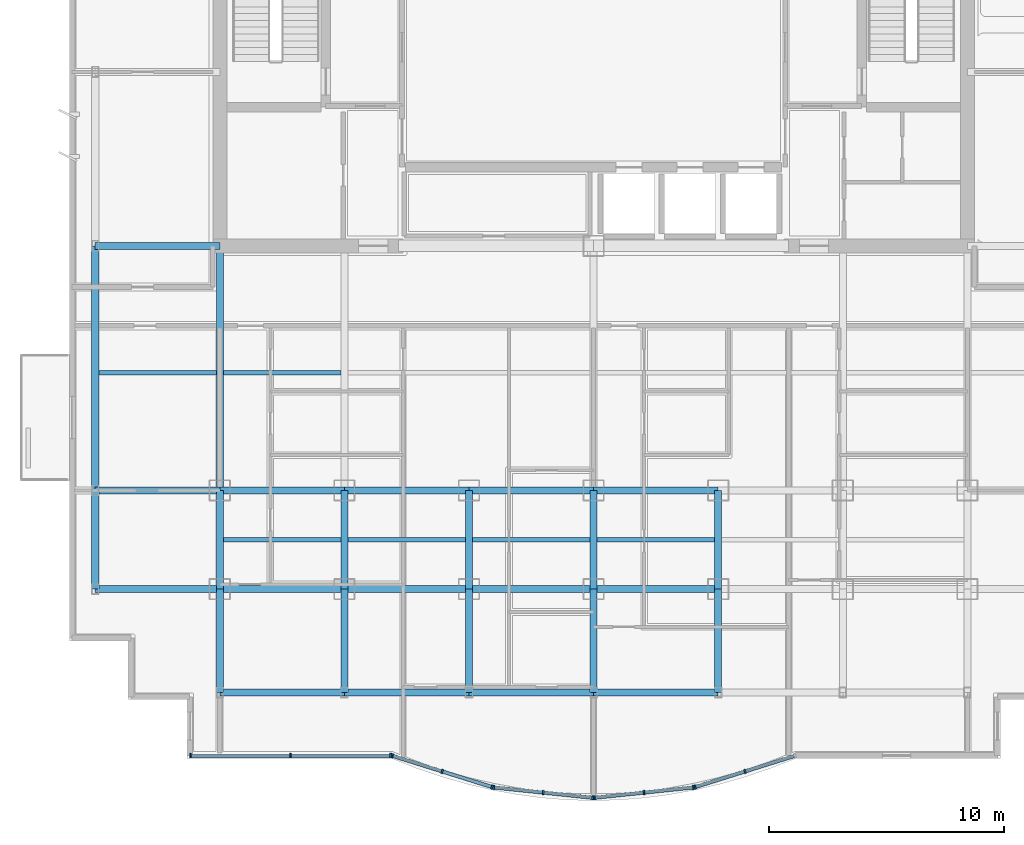
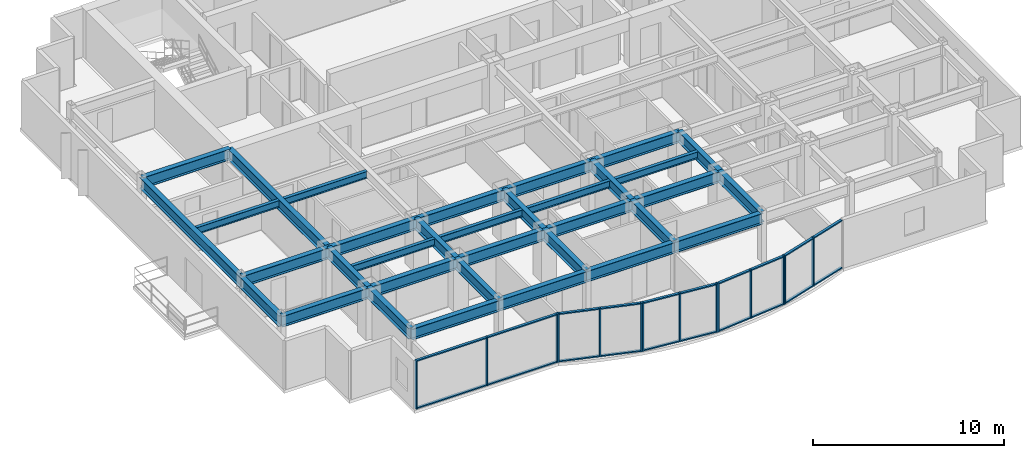
# One storey, part 2 of 11: 34 beams, 34 members, 5 elements without a shape of their own.
"""IFC4 building model written with IfcOpenShell, lengths in metres."""

from ifc_helpers import new_model, si_unit, direction, frame, origin, origin_2d, place, context, subcontext, project, spatial, rectangle, i_section, extrude, source, transform, mapped, material, layer, layer_set, material_profile, profile_set, type_object, element, aggregate, save


model = new_model("IFC4")

# Units and contexts
model_context = context("Model", 3, precision=1e-05, world=origin(), true_north=direction((0.0, 1.0)))
body_context = subcontext(model_context, "Body", "Model", "MODEL_VIEW")
ifc_project = project(units=[si_unit("LENGTHUNIT", "METRE"), si_unit("AREAUNIT", "SQUARE_METRE"), si_unit("VOLUMEUNIT", "CUBIC_METRE"), si_unit("PLANEANGLEUNIT", "RADIAN"), si_unit("MASSUNIT", "GRAM", prefix="KILO")], contexts=[model_context])

# Site, building, storey
site_placement = place(None, origin())
site = spatial("IfcSite", under=ifc_project, at=site_placement, CompositionType="ELEMENT")
building_placement = place(site_placement, origin())
building = spatial("IfcBuilding", under=site, at=building_placement, Name="Qianlan Lanfeng Residences", CompositionType="ELEMENT")
storey_placement = place(building_placement, frame((0.0, 0.0, 152.39990234375)))
storey = spatial("IfcBuildingStorey", under=building, at=storey_placement, Name="L41", CompositionType="ELEMENT", Elevation=152.39990234375)

# Beams
ifc_material_1 = material(Name="Steel SN490B", Category="steel")
ifc_material_profile_1 = material_profile(ifc_material_1, i_section(OverallWidth=0.300048828125, OverallDepth=0.699951171875, WebThickness=0.012939453125, FlangeThickness=0.02392578125, at=origin_2d()), Name="H 700x300x13x24")
ifc_profile_set_1 = profile_set([ifc_material_profile_1], Name="Steel SN490B")
beam_type_1 = type_object("IfcBeamType", Name="G-750", PredefinedType="BEAM", material=ifc_profile_set_1)
beam_1_placement = place(storey_placement, frame((5.300048828125, 10.60009765625, 2.75), z_axis=(1.0, 0.0, 0.0), x_axis=(0.0, 1.0, 0.0)))
element("IfcBeam", 1, at=beam_1_placement, inside=storey, type_object=beam_type_1, Name="Structural beam G-750", PredefinedType="BEAM", context=body_context, shape_type="SweptSolid", body=[
    extrude(i_section(OverallWidth=0.300048828125, OverallDepth=0.699951171875, WebThickness=0.012939453125, FlangeThickness=0.02392578125, at=origin_2d()), origin(), (0.0, 0.0, 1.0), 5.300048828125),
])
beam_2_placement = place(storey_placement, frame((10.60009765625, 10.60009765625, 2.75), z_axis=(1.0, 0.0, 0.0), x_axis=(0.0, 1.0, 0.0)))
element("IfcBeam", 2, at=beam_2_placement, inside=storey, type_object=beam_type_1, Name="Structural beam G-750", PredefinedType="BEAM", context=body_context, shape_type="SweptSolid", body=[
    extrude(i_section(OverallWidth=0.300048828125, OverallDepth=0.699951171875, WebThickness=0.012939453125, FlangeThickness=0.02392578125, at=origin_2d()), origin(), (0.0, 0.0, 1.0), 5.2998046875),
])
for number, where, z_axis, x_axis, name in (
    (3, (15.89990234375, 10.60009765625, 2.75), (1.0, 0.0, 0.0), (0.0, 1.0, 0.0), "Structural beam G-750"),
    (4, (21.199951171875, 10.60009765625, 2.75), (1.0, 0.0, 0.0), (0.0, 1.0, 0.0), "Structural beam G-750"),
    (5, (26.5, 10.60009765625, 2.75), (1.0, 0.0, 0.0), (0.0, 1.0, 0.0), "Structural beam G-750"),
    (6, (5.300048828125, 14.800048828125, 2.75), (1.0, 0.0, 0.0), (0.0, 1.0, 0.0), "Structural beam G-750"),
):
    element("IfcBeam", number, at=place(storey_placement, frame(where, z_axis=z_axis, x_axis=x_axis)), inside=storey, type_object=beam_type_1, Name=name, PredefinedType="BEAM", context=body_context, shape_type="SweptSolid", body=[
        extrude(i_section(OverallWidth=0.300048828125, OverallDepth=0.699951171875, WebThickness=0.012939453125, FlangeThickness=0.02392578125, at=origin_2d()), origin(), (0.0, 0.0, 1.0), 5.300048828125),
    ])
beam_3_placement = place(storey_placement, frame((10.60009765625, 14.800048828125, 2.75), z_axis=(1.0, 0.0, 0.0), x_axis=(0.0, 1.0, 0.0)))
element("IfcBeam", 7, at=beam_3_placement, inside=storey, type_object=beam_type_1, Name="Structural beam G-750", PredefinedType="BEAM", context=body_context, shape_type="SweptSolid", body=[
    extrude(i_section(OverallWidth=0.300048828125, OverallDepth=0.699951171875, WebThickness=0.012939453125, FlangeThickness=0.02392578125, at=origin_2d()), origin(), (0.0, 0.0, 1.0), 5.2998046875),
])
for number, where, z_axis, x_axis, name in (
    (8, (15.89990234375, 14.800048828125, 2.75), (1.0, 0.0, 0.0), (0.0, 1.0, 0.0), "Structural beam G-750"),
    (9, (21.199951171875, 14.800048828125, 2.75), (1.0, 0.0, 0.0), (0.0, 1.0, 0.0), "Structural beam G-750"),
    (10, (26.5, 14.800048828125, 2.75), (1.0, 0.0, 0.0), (0.0, 1.0, 0.0), "Structural beam G-750"),
    (11, (5.300048828125, 25.199951171875, 2.75), (1.0, 0.0, 0.0), (0.0, 1.0, 0.0), "Structural beam G-750"),
):
    element("IfcBeam", number, at=place(storey_placement, frame(where, z_axis=z_axis, x_axis=x_axis)), inside=storey, type_object=beam_type_1, Name=name, PredefinedType="BEAM", context=body_context, shape_type="SweptSolid", body=[
        extrude(i_section(OverallWidth=0.300048828125, OverallDepth=0.699951171875, WebThickness=0.012939453125, FlangeThickness=0.02392578125, at=origin_2d()), origin(), (0.0, 0.0, 1.0), 5.300048828125),
    ])
beam_4_placement = place(storey_placement, frame((10.60009765625, 6.199951171875, 2.75), z_axis=(0.0, 1.0, 0.0), x_axis=(-1.0, 0.0, 0.0)))
element("IfcBeam", 12, at=beam_4_placement, inside=storey, type_object=beam_type_1, Name="Structural beam G-750", PredefinedType="BEAM", context=body_context, shape_type="SweptSolid", body=[
    extrude(i_section(OverallWidth=0.300048828125, OverallDepth=0.699951171875, WebThickness=0.012939453125, FlangeThickness=0.02392578125, at=origin_2d()), origin(), (0.0, 0.0, 1.0), 4.400146484375),
])
beam_5_placement = place(storey_placement, frame((10.60009765625, 10.60009765625, 2.75), z_axis=(0.0, 1.0, 0.0), x_axis=(-1.0, 0.0, 0.0)))
element("IfcBeam", 13, at=beam_5_placement, inside=storey, type_object=beam_type_1, Name="Structural beam G-750", PredefinedType="BEAM", context=body_context, shape_type="SweptSolid", body=[
    extrude(i_section(OverallWidth=0.300048828125, OverallDepth=0.699951171875, WebThickness=0.012939453125, FlangeThickness=0.02392578125, at=origin_2d()), origin(), (0.0, 0.0, 1.0), 4.199951171875),
])
beam_6_placement = place(storey_placement, frame((10.60009765625, 14.800048828125, 2.75), z_axis=(0.0, 1.0, 0.0), x_axis=(-1.0, 0.0, 0.0)))
element("IfcBeam", 14, at=beam_6_placement, inside=storey, type_object=beam_type_1, Name="Structural beam G-750", PredefinedType="BEAM", context=body_context, shape_type="SweptSolid", body=[
    extrude(i_section(OverallWidth=0.300048828125, OverallDepth=0.699951171875, WebThickness=0.012939453125, FlangeThickness=0.02392578125, at=origin_2d()), origin(), (0.0, 0.0, 1.0), 10.39990234375),
])
beam_7_placement = place(storey_placement, frame((15.89990234375, 6.199951171875, 2.75), z_axis=(0.0, 1.0, 0.0), x_axis=(-1.0, 0.0, 0.0)))
element("IfcBeam", 15, at=beam_7_placement, inside=storey, type_object=beam_type_1, Name="Structural beam G-750", PredefinedType="BEAM", context=body_context, shape_type="SweptSolid", body=[
    extrude(i_section(OverallWidth=0.300048828125, OverallDepth=0.699951171875, WebThickness=0.012939453125, FlangeThickness=0.02392578125, at=origin_2d()), origin(), (0.0, 0.0, 1.0), 4.400146484375),
])
beam_8_placement = place(storey_placement, frame((15.89990234375, 10.60009765625, 2.75), z_axis=(0.0, 1.0, 0.0), x_axis=(-1.0, 0.0, 0.0)))
element("IfcBeam", 16, at=beam_8_placement, inside=storey, type_object=beam_type_1, Name="Structural beam G-750", PredefinedType="BEAM", context=body_context, shape_type="SweptSolid", body=[
    extrude(i_section(OverallWidth=0.300048828125, OverallDepth=0.699951171875, WebThickness=0.012939453125, FlangeThickness=0.02392578125, at=origin_2d()), origin(), (0.0, 0.0, 1.0), 4.199951171875),
])
beam_9_placement = place(storey_placement, frame((21.199951171875, 6.199951171875, 2.75), z_axis=(0.0, 1.0, 0.0), x_axis=(-1.0, 0.0, 0.0)))
element("IfcBeam", 17, at=beam_9_placement, inside=storey, type_object=beam_type_1, Name="Structural beam G-750", PredefinedType="BEAM", context=body_context, shape_type="SweptSolid", body=[
    extrude(i_section(OverallWidth=0.300048828125, OverallDepth=0.699951171875, WebThickness=0.012939453125, FlangeThickness=0.02392578125, at=origin_2d()), origin(), (0.0, 0.0, 1.0), 4.400146484375),
])
beam_10_placement = place(storey_placement, frame((21.199951171875, 10.60009765625, 2.75), z_axis=(0.0, 1.0, 0.0), x_axis=(-1.0, 0.0, 0.0)))
element("IfcBeam", 18, at=beam_10_placement, inside=storey, type_object=beam_type_1, Name="Structural beam G-750", PredefinedType="BEAM", context=body_context, shape_type="SweptSolid", body=[
    extrude(i_section(OverallWidth=0.300048828125, OverallDepth=0.699951171875, WebThickness=0.012939453125, FlangeThickness=0.02392578125, at=origin_2d()), origin(), (0.0, 0.0, 1.0), 4.199951171875),
])
beam_11_placement = place(storey_placement, frame((26.5, 6.199951171875, 2.75), z_axis=(0.0, 1.0, 0.0), x_axis=(-1.0, 0.0, 0.0)))
element("IfcBeam", 19, at=beam_11_placement, inside=storey, type_object=beam_type_1, Name="Structural beam G-750", PredefinedType="BEAM", context=body_context, shape_type="SweptSolid", body=[
    extrude(i_section(OverallWidth=0.300048828125, OverallDepth=0.699951171875, WebThickness=0.012939453125, FlangeThickness=0.02392578125, at=origin_2d()), origin(), (0.0, 0.0, 1.0), 4.400146484375),
])
beam_12_placement = place(storey_placement, frame((26.5, 10.60009765625, 2.75), z_axis=(0.0, 1.0, 0.0), x_axis=(-1.0, 0.0, 0.0)))
element("IfcBeam", 20, at=beam_12_placement, inside=storey, type_object=beam_type_1, Name="Structural beam G-750", PredefinedType="BEAM", context=body_context, shape_type="SweptSolid", body=[
    extrude(i_section(OverallWidth=0.300048828125, OverallDepth=0.699951171875, WebThickness=0.012939453125, FlangeThickness=0.02392578125, at=origin_2d()), origin(), (0.0, 0.0, 1.0), 4.199951171875),
])
beam_13_placement = place(storey_placement, frame((31.800048828125, 6.199951171875, 2.75), z_axis=(0.0, 1.0, 0.0), x_axis=(-1.0, 0.0, 0.0)))
element("IfcBeam", 21, at=beam_13_placement, inside=storey, type_object=beam_type_1, Name="Structural beam G-750", PredefinedType="BEAM", context=body_context, shape_type="SweptSolid", body=[
    extrude(i_section(OverallWidth=0.300048828125, OverallDepth=0.699951171875, WebThickness=0.012939453125, FlangeThickness=0.02392578125, at=origin_2d()), origin(), (0.0, 0.0, 1.0), 4.400146484375),
])
beam_14_placement = place(storey_placement, frame((31.800048828125, 10.60009765625, 2.75), z_axis=(0.0, 1.0, 0.0), x_axis=(-1.0, 0.0, 0.0)))
element("IfcBeam", 22, at=beam_14_placement, inside=storey, type_object=beam_type_1, Name="Structural beam G-750", PredefinedType="BEAM", context=body_context, shape_type="SweptSolid", body=[
    extrude(i_section(OverallWidth=0.300048828125, OverallDepth=0.699951171875, WebThickness=0.012939453125, FlangeThickness=0.02392578125, at=origin_2d()), origin(), (0.0, 0.0, 1.0), 4.199951171875),
])
ifc_material_profile_2 = material_profile(ifc_material_1, i_section(OverallWidth=0.199951171875, OverallDepth=0.449951171875, WebThickness=0.009033203125, FlangeThickness=0.013916015625, at=origin_2d()), Name="H 450x200x9x14")
ifc_profile_set_2 = profile_set([ifc_material_profile_2], Name="Steel SN490B")
beam_type_2 = type_object("IfcBeamType", Name="J-450", PredefinedType="JOIST", material=ifc_profile_set_2)
for number, where, z_axis, x_axis, name in (
    (23, (10.75, 12.699951171875, 2.875), (1.0, 0.0, 0.0), (0.0, 1.0, 0.0), "Structural beam J-450"),
    (24, (16.050048828125, 12.699951171875, 2.875), (1.0, 0.0, 0.0), (0.0, 1.0, 0.0), "Structural beam J-450"),
    (25, (21.35009765625, 12.699951171875, 2.875), (1.0, 0.0, 0.0), (0.0, 1.0, 0.0), "Structural beam J-450"),
    (26, (26.64990234375, 12.699951171875, 2.875), (1.0, 0.0, 0.0), (0.0, 1.0, 0.0), "Structural beam J-450"),
    (27, (5.449951171875, 19.800048828125, 2.875), (1.0, 0.0, 0.0), (0.0, 1.0, 0.0), "Structural beam J-450"),
    (28, (10.75, 19.800048828125, 2.875), (1.0, 0.0, 0.0), (0.0, 1.0, 0.0), "Structural beam J-450"),
):
    element("IfcBeam", number, at=place(storey_placement, frame(where, z_axis=z_axis, x_axis=x_axis)), inside=storey, type_object=beam_type_2, Name=name, PredefinedType="JOIST", context=body_context, shape_type="SweptSolid", body=[
        extrude(i_section(OverallWidth=0.199951171875, OverallDepth=0.449951171875, WebThickness=0.009033203125, FlangeThickness=0.013916015625, at=origin_2d()), origin(), (0.0, 0.0, 1.0), 5.0),
    ])
ifc_material_profile_3 = material_profile(ifc_material_1, i_section(OverallWidth=0.300048828125, OverallDepth=0.699951171875, WebThickness=0.012939453125, FlangeThickness=0.02392578125, at=origin_2d()), Name="H 700x300x13x24")
ifc_profile_set_3 = profile_set([ifc_material_profile_3], Name="Steel SN490B")
beam_type_3 = type_object("IfcBeamType", Name="SG-750", PredefinedType="SPANDREL", material=ifc_profile_set_3)
beam_15_placement = place(storey_placement, frame((10.60009765625, 6.199951171875, 2.739990234375), z_axis=(1.0, 0.0, 0.0), x_axis=(0.0, 1.0, 0.0)))
element("IfcBeam", 29, at=beam_15_placement, inside=storey, type_object=beam_type_3, Name="Structural beam SG-750", PredefinedType="SPANDREL", context=body_context, shape_type="SweptSolid", body=[
    extrude(i_section(OverallWidth=0.300048828125, OverallDepth=0.699951171875, WebThickness=0.012939453125, FlangeThickness=0.02392578125, at=origin_2d()), origin(), (0.0, 0.0, 1.0), 5.2998046875),
])
for number, where, z_axis, x_axis, name in (
    (30, (15.89990234375, 6.199951171875, 2.739990234375), (1.0, 0.0, 0.0), (0.0, 1.0, 0.0), "Structural beam SG-750"),
    (31, (21.199951171875, 6.199951171875, 2.739990234375), (1.0, 0.0, 0.0), (0.0, 1.0, 0.0), "Structural beam SG-750"),
    (32, (26.5, 6.199951171875, 2.739990234375), (1.0, 0.0, 0.0), (0.0, 1.0, 0.0), "Structural beam SG-750"),
):
    element("IfcBeam", number, at=place(storey_placement, frame(where, z_axis=z_axis, x_axis=x_axis)), inside=storey, type_object=beam_type_3, Name=name, PredefinedType="SPANDREL", context=body_context, shape_type="SweptSolid", body=[
        extrude(i_section(OverallWidth=0.300048828125, OverallDepth=0.699951171875, WebThickness=0.012939453125, FlangeThickness=0.02392578125, at=origin_2d()), origin(), (0.0, 0.0, 1.0), 5.300048828125),
    ])
beam_16_placement = place(storey_placement, frame((5.300048828125, 10.60009765625, 2.739990234375), z_axis=(0.0, 1.0, 0.0), x_axis=(-1.0, 0.0, 0.0)))
element("IfcBeam", 33, at=beam_16_placement, inside=storey, type_object=beam_type_3, Name="Structural beam SG-750", PredefinedType="SPANDREL", context=body_context, shape_type="SweptSolid", body=[
    extrude(i_section(OverallWidth=0.300048828125, OverallDepth=0.699951171875, WebThickness=0.012939453125, FlangeThickness=0.02392578125, at=origin_2d()), origin(), (0.0, 0.0, 1.0), 4.199951171875),
])
beam_17_placement = place(storey_placement, frame((5.300048828125, 14.800048828125, 2.739990234375), z_axis=(0.0, 1.0, 0.0), x_axis=(-1.0, 0.0, 0.0)))
element("IfcBeam", 34, at=beam_17_placement, inside=storey, type_object=beam_type_3, Name="Structural beam SG-750", PredefinedType="SPANDREL", context=body_context, shape_type="SweptSolid", body=[
    extrude(i_section(OverallWidth=0.300048828125, OverallDepth=0.699951171875, WebThickness=0.012939453125, FlangeThickness=0.02392578125, at=origin_2d()), origin(), (0.0, 0.0, 1.0), 10.39990234375),
])

# Curtain wall, members
ifc_material_2 = material(Name="Anodised Bronze Aluminium 6063-T6", Category="aluminium")
ifc_layer = layer(ifc_material_2, 0.219970703125)
ifc_layer_set = layer_set([ifc_layer], Name="Anodised Bronze Aluminium 6063-T6")
curtain_wall_type = type_object("IfcCurtainWallType", Name="CW-04", PredefinedType="NOTDEFINED", material=ifc_layer_set)
curtain_wall_1_placement = place(storey_placement, origin())
curtain_wall_1 = element("IfcCurtainWall", 35, at=curtain_wall_1_placement, inside=storey, type_object=curtain_wall_type, Name="L41 Unitised Curtain Wall CWR-L41-01 (CW-04)", PredefinedType="NOTDEFINED")
ifc_material_profile_4 = material_profile(ifc_material_2, rectangle(XDim=0.074951171875, YDim=0.14990234375, at=origin_2d()), Name="ALU TRANSOM 75x150")
ifc_profile_set_4 = profile_set([ifc_material_profile_4], Name="Anodised Bronze Aluminium 6063-T6")
member_type_1 = type_object("IfcMemberType", Name="CWT-150", PredefinedType="USERDEFINED", material=ifc_profile_set_4)
shared_shape_1 = source(origin(), body_context, "Body", "SweptSolid", [
    extrude(rectangle(XDim=0.074951171875, YDim=0.14990234375, at=origin_2d()), origin(), (0.0, 0.0, 1.0), 4.178955078125),
])
member_1_placement = place(storey_placement, frame((9.39501953125, 3.52001953125, 0.03759765625), z_axis=(1.0, 0.0, 0.0), x_axis=(0.0, 0.0, 1.0)))
member_1 = element("IfcMember", 36, at=member_1_placement, type_object=member_type_1, Name="CWR-L41-01 Transom 1-BOT", ObjectType="TRANSOM", PredefinedType="USERDEFINED", context=body_context, shape_type="MappedRepresentation", body=[
    mapped(shared_shape_1, transform((0.0, 0.0, 0.0), scale=1.0)),
])
member_2_placement = place(storey_placement, frame((9.39501953125, 3.52001953125, 3.0625), z_axis=(1.0, 0.0, 0.0), x_axis=(0.0, 0.0, 1.0)))
member_2 = element("IfcMember", 37, at=member_2_placement, type_object=member_type_1, Name="CWR-L41-01 Transom 1-TOP", ObjectType="TRANSOM", PredefinedType="USERDEFINED", context=body_context, shape_type="MappedRepresentation", body=[
    mapped(shared_shape_1, transform((0.0, 0.0, 0.0), scale=1.0)),
])
member_3_placement = place(storey_placement, frame((13.64892578125, 3.52001953125, 0.03759765625), z_axis=(1.0, 0.0, 0.0), x_axis=(0.0, 0.0, 1.0)))
member_3 = element("IfcMember", 38, at=member_3_placement, type_object=member_type_1, Name="CWR-L41-01 Transom 2-BOT", ObjectType="TRANSOM", PredefinedType="USERDEFINED", context=body_context, shape_type="MappedRepresentation", body=[
    mapped(shared_shape_1, transform((0.0, 0.0, 0.0), scale=1.0)),
])
member_4_placement = place(storey_placement, frame((13.64892578125, 3.52001953125, 3.0625), z_axis=(1.0, 0.0, 0.0), x_axis=(0.0, 0.0, 1.0)))
member_4 = element("IfcMember", 39, at=member_4_placement, type_object=member_type_1, Name="CWR-L41-01 Transom 2-TOP", ObjectType="TRANSOM", PredefinedType="USERDEFINED", context=body_context, shape_type="MappedRepresentation", body=[
    mapped(shared_shape_1, transform((0.0, 0.0, 0.0), scale=1.0)),
])

curtain_wall_2_placement = place(storey_placement, origin())
curtain_wall_2 = element("IfcCurtainWall", 40, at=curtain_wall_2_placement, inside=storey, type_object=curtain_wall_type, Name="L41 Unitised Curtain Wall CWR-L41-04 (CW-04)", PredefinedType="NOTDEFINED")
shared_shape_2 = source(origin(), body_context, "Body", "SweptSolid", [
    extrude(rectangle(XDim=0.074951171875, YDim=0.14990234375, at=origin_2d()), origin(), (0.0, 0.0, 1.0), 2.04150390625),
])
member_5_placement = place(storey_placement, frame((26.57470703125, 1.727783203125, 0.03759765625), z_axis=(0.994573388245, 0.104037374988, 0.0), x_axis=(0.0, 0.0, 1.0)))
member_5 = element("IfcMember", 41, at=member_5_placement, type_object=member_type_1, Name="CWR-L41-04 Transom 1-BOT", ObjectType="TRANSOM", PredefinedType="USERDEFINED", context=body_context, shape_type="MappedRepresentation", body=[
    mapped(shared_shape_2, transform((0.0, 0.0, 0.0), scale=1.0)),
])
member_6_placement = place(storey_placement, frame((26.57470703125, 1.727783203125, 3.0625), z_axis=(0.994573388245, 0.104037374988, 0.0), x_axis=(0.0, 0.0, 1.0)))
member_6 = element("IfcMember", 42, at=member_6_placement, type_object=member_type_1, Name="CWR-L41-04 Transom 1-TOP", ObjectType="TRANSOM", PredefinedType="USERDEFINED", context=body_context, shape_type="MappedRepresentation", body=[
    mapped(shared_shape_2, transform((0.0, 0.0, 0.0), scale=1.0)),
])

curtain_wall_3_placement = place(storey_placement, origin())
curtain_wall_3 = element("IfcCurtainWall", 43, at=curtain_wall_3_placement, inside=storey, type_object=curtain_wall_type, Name="L41 Unitised Curtain Wall CWR-L41-03 (CW-04)", PredefinedType="NOTDEFINED")
shared_shape_3 = source(origin(), body_context, "Body", "SweptSolid", [
    extrude(rectangle(XDim=0.074951171875, YDim=0.14990234375, at=origin_2d()), origin(), (0.0, 0.0, 1.0), 2.041748046875),
])
member_7_placement = place(storey_placement, frame((22.28955078125, 2.16015625, 0.03759765625), z_axis=(0.994587046158, -0.103906725548, 0.0), x_axis=(0.0, 0.0, 1.0)))
member_7 = element("IfcMember", 44, at=member_7_placement, type_object=member_type_1, Name="CWR-L41-03 Transom 1-BOT", ObjectType="TRANSOM", PredefinedType="USERDEFINED", context=body_context, shape_type="MappedRepresentation", body=[
    mapped(shared_shape_3, transform((0.0, 0.0, 0.0), scale=1.0)),
])
member_8_placement = place(storey_placement, frame((22.28955078125, 2.16015625, 3.0625), z_axis=(0.994587046158, -0.103906725548, 0.0), x_axis=(0.0, 0.0, 1.0)))
member_8 = element("IfcMember", 45, at=member_8_placement, type_object=member_type_1, Name="CWR-L41-03 Transom 1-TOP", ObjectType="TRANSOM", PredefinedType="USERDEFINED", context=body_context, shape_type="MappedRepresentation", body=[
    mapped(shared_shape_3, transform((0.0, 0.0, 0.0), scale=1.0)),
])
member_9_placement = place(storey_placement, frame((24.394775390625, 1.940185546875, 0.03759765625), z_axis=(0.994574682356, -0.104025002843, 0.0), x_axis=(0.0, 0.0, 1.0)))
member_9 = element("IfcMember", 46, at=member_9_placement, type_object=member_type_1, Name="CWR-L41-03 Transom 2-BOT", ObjectType="TRANSOM", PredefinedType="USERDEFINED", context=body_context, shape_type="MappedRepresentation", body=[
    mapped(shared_shape_3, transform((0.0, 0.0, 0.0), scale=1.0)),
])
member_10_placement = place(storey_placement, frame((24.394775390625, 1.940185546875, 3.0625), z_axis=(0.994574682356, -0.104025002843, 0.0), x_axis=(0.0, 0.0, 1.0)))
member_10 = element("IfcMember", 47, at=member_10_placement, type_object=member_type_1, Name="CWR-L41-03 Transom 2-TOP", ObjectType="TRANSOM", PredefinedType="USERDEFINED", context=body_context, shape_type="MappedRepresentation", body=[
    mapped(shared_shape_3, transform((0.0, 0.0, 0.0), scale=1.0)),
])

# Member
member_11_placement = place(storey_placement, frame((28.6796875, 1.947998046875, 0.03759765625), z_axis=(0.994587046158, 0.103906725548, 0.0), x_axis=(0.0, 0.0, 1.0)))
member_11 = element("IfcMember", 48, at=member_11_placement, type_object=member_type_1, Name="CWR-L41-04 Transom 2-BOT", ObjectType="TRANSOM", PredefinedType="USERDEFINED", context=body_context, shape_type="MappedRepresentation", body=[
    mapped(shared_shape_3, transform((0.0, 0.0, 0.0), scale=1.0)),
])

member_12_placement = place(storey_placement, frame((28.6796875, 1.947998046875, 3.0625), z_axis=(0.994587046158, 0.103906725548, 0.0), x_axis=(0.0, 0.0, 1.0)))
member_12 = element("IfcMember", 49, at=member_12_placement, type_object=member_type_1, Name="CWR-L41-04 Transom 2-TOP", ObjectType="TRANSOM", PredefinedType="USERDEFINED", context=body_context, shape_type="MappedRepresentation", body=[
    mapped(shared_shape_3, transform((0.0, 0.0, 0.0), scale=1.0)),
])

# Curtain wall, members
curtain_wall_4_placement = place(storey_placement, origin())
curtain_wall_4 = element("IfcCurtainWall", 50, at=curtain_wall_4_placement, inside=storey, type_object=curtain_wall_type, Name="L41 Unitised Curtain Wall CWR-L41-02 (CW-04)", PredefinedType="NOTDEFINED")
shared_shape_4 = source(origin(), body_context, "Body", "SweptSolid", [
    extrude(rectangle(XDim=0.074951171875, YDim=0.14990234375, at=origin_2d()), origin(), (0.0, 0.0, 1.0), 2.14697265625),
])
member_13_placement = place(storey_placement, frame((17.974609375, 3.49755859375, 0.03759765625), z_axis=(0.954194238714, -0.299187825296, 0.0), x_axis=(0.0, 0.0, 1.0)))
member_13 = element("IfcMember", 51, at=member_13_placement, type_object=member_type_1, Name="CWR-L41-02 Transom 1-BOT", ObjectType="TRANSOM", PredefinedType="USERDEFINED", context=body_context, shape_type="MappedRepresentation", body=[
    mapped(shared_shape_4, transform((0.0, 0.0, 0.0), scale=1.0)),
])
member_14_placement = place(storey_placement, frame((17.974609375, 3.49755859375, 3.0625), z_axis=(0.954194238714, -0.299187825296, 0.0), x_axis=(0.0, 0.0, 1.0)))
member_14 = element("IfcMember", 52, at=member_14_placement, type_object=member_type_1, Name="CWR-L41-02 Transom 1-TOP", ObjectType="TRANSOM", PredefinedType="USERDEFINED", context=body_context, shape_type="MappedRepresentation", body=[
    mapped(shared_shape_4, transform((0.0, 0.0, 0.0), scale=1.0)),
])
member_15_placement = place(storey_placement, frame((20.0947265625, 2.832763671875, 0.03759765625), z_axis=(0.954194238714, -0.299187825296, 0.0), x_axis=(0.0, 0.0, 1.0)))
member_15 = element("IfcMember", 53, at=member_15_placement, type_object=member_type_1, Name="CWR-L41-02 Transom 2-BOT", ObjectType="TRANSOM", PredefinedType="USERDEFINED", context=body_context, shape_type="MappedRepresentation", body=[
    mapped(shared_shape_4, transform((0.0, 0.0, 0.0), scale=1.0)),
])
member_16_placement = place(storey_placement, frame((20.0947265625, 2.832763671875, 3.0625), z_axis=(0.954194238714, -0.299187825296, 0.0), x_axis=(0.0, 0.0, 1.0)))
member_16 = element("IfcMember", 54, at=member_16_placement, type_object=member_type_1, Name="CWR-L41-02 Transom 2-TOP", ObjectType="TRANSOM", PredefinedType="USERDEFINED", context=body_context, shape_type="MappedRepresentation", body=[
    mapped(shared_shape_4, transform((0.0, 0.0, 0.0), scale=1.0)),
])

curtain_wall_5_placement = place(storey_placement, origin())
curtain_wall_5 = element("IfcCurtainWall", 55, at=curtain_wall_5_placement, inside=storey, type_object=curtain_wall_type, Name="L41 Unitised Curtain Wall CWR-L41-05 (CW-04)", PredefinedType="NOTDEFINED")
member_17_placement = place(storey_placement, frame((30.856689453125, 2.1904296875, 0.03759765625), z_axis=(0.954194238714, 0.299187825296, 0.0), x_axis=(0.0, 0.0, 1.0)))
member_17 = element("IfcMember", 56, at=member_17_placement, type_object=member_type_1, Name="CWR-L41-05 Transom 1-BOT", ObjectType="TRANSOM", PredefinedType="USERDEFINED", context=body_context, shape_type="MappedRepresentation", body=[
    mapped(shared_shape_4, transform((0.0, 0.0, 0.0), scale=1.0)),
])
member_18_placement = place(storey_placement, frame((30.856689453125, 2.1904296875, 3.0625), z_axis=(0.954194238714, 0.299187825296, 0.0), x_axis=(0.0, 0.0, 1.0)))
member_18 = element("IfcMember", 57, at=member_18_placement, type_object=member_type_1, Name="CWR-L41-05 Transom 1-TOP", ObjectType="TRANSOM", PredefinedType="USERDEFINED", context=body_context, shape_type="MappedRepresentation", body=[
    mapped(shared_shape_4, transform((0.0, 0.0, 0.0), scale=1.0)),
])
member_19_placement = place(storey_placement, frame((32.976806640625, 2.855224609375, 0.03759765625), z_axis=(0.954194238714, 0.299187825296, 0.0), x_axis=(0.0, 0.0, 1.0)))
member_19 = element("IfcMember", 58, at=member_19_placement, type_object=member_type_1, Name="CWR-L41-05 Transom 2-BOT", ObjectType="TRANSOM", PredefinedType="USERDEFINED", context=body_context, shape_type="MappedRepresentation", body=[
    mapped(shared_shape_4, transform((0.0, 0.0, 0.0), scale=1.0)),
])
member_20_placement = place(storey_placement, frame((32.976806640625, 2.855224609375, 3.0625), z_axis=(0.954194238714, 0.299187825296, 0.0), x_axis=(0.0, 0.0, 1.0)))
member_20 = element("IfcMember", 59, at=member_20_placement, type_object=member_type_1, Name="CWR-L41-05 Transom 2-TOP", ObjectType="TRANSOM", PredefinedType="USERDEFINED", context=body_context, shape_type="MappedRepresentation", body=[
    mapped(shared_shape_4, transform((0.0, 0.0, 0.0), scale=1.0)),
])

# Member
ifc_material_profile_5 = material_profile(ifc_material_2, rectangle(XDim=0.074951171875, YDim=0.179931640625, at=origin_2d()), Name="ALU MULLION 75x180")
ifc_profile_set_5 = profile_set([ifc_material_profile_5], Name="Anodised Bronze Aluminium 6063-T6")
member_type_2 = type_object("IfcMemberType", Name="CWM-180", PredefinedType="MULLION", material=ifc_profile_set_5)
shared_shape_5 = source(origin(), body_context, "Body", "SweptSolid", [
    extrude(rectangle(XDim=0.074951171875, YDim=0.179931640625, at=origin_2d()), origin(), (0.0, 0.0, 1.0), 3.10009765625),
])
member_21_placement = place(storey_placement, frame((9.357421875, 3.52001953125, 0.0), z_axis=(0.0, 0.0, 1.0), x_axis=(1.0, 0.0, 0.0)))
member_21 = element("IfcMember", 60, at=member_21_placement, type_object=member_type_2, Name="CWR-L41-01 Mullion 1", PredefinedType="MULLION", context=body_context, shape_type="MappedRepresentation", body=[
    mapped(shared_shape_5, transform((0.0, 0.0, 0.0), scale=1.0)),
])

member_22_placement = place(storey_placement, frame((13.611572265625, 3.52001953125, 0.0), z_axis=(0.0, 0.0, 1.0), x_axis=(1.0, 0.0, 0.0)))
member_22 = element("IfcMember", 61, at=member_22_placement, type_object=member_type_2, Name="CWR-L41-01 Mullion 2", PredefinedType="MULLION", context=body_context, shape_type="MappedRepresentation", body=[
    mapped(shared_shape_5, transform((0.0, 0.0, 0.0), scale=1.0)),
])

member_23_placement = place(storey_placement, frame((17.865478515625, 3.52001953125, 0.0), z_axis=(0.0, 0.0, 1.0), x_axis=(1.0, 0.0, 0.0)))
member_23 = element("IfcMember", 62, at=member_23_placement, type_object=member_type_2, Name="CWR-L41-01 Mullion 3", PredefinedType="MULLION", context=body_context, shape_type="MappedRepresentation", body=[
    mapped(shared_shape_5, transform((0.0, 0.0, 0.0), scale=1.0)),
])

aggregate(curtain_wall_1, [member_21, member_22, member_23, member_1, member_2, member_3, member_4])

member_24_placement = place(storey_placement, frame((17.938720703125, 3.5087890625, 0.0), z_axis=(0.0, 0.0, 1.0), x_axis=(0.954195954421, -0.299182353367, 0.0)))
member_24 = element("IfcMember", 63, at=member_24_placement, type_object=member_type_2, Name="CWR-L41-02 Mullion 1", PredefinedType="MULLION", context=body_context, shape_type="MappedRepresentation", body=[
    mapped(shared_shape_5, transform((0.0, 0.0, 0.0), scale=1.0)),
])

member_25_placement = place(storey_placement, frame((20.05908203125, 2.843994140625, 0.0), z_axis=(0.0, 0.0, 1.0), x_axis=(0.954195954421, -0.299182353367, 0.0)))
member_25 = element("IfcMember", 64, at=member_25_placement, type_object=member_type_2, Name="CWR-L41-02 Mullion 2", PredefinedType="MULLION", context=body_context, shape_type="MappedRepresentation", body=[
    mapped(shared_shape_5, transform((0.0, 0.0, 0.0), scale=1.0)),
])

member_26_placement = place(storey_placement, frame((22.17919921875, 2.17919921875, 0.0), z_axis=(0.0, 0.0, 1.0), x_axis=(0.954195954421, -0.299182353367, 0.0)))
member_26 = element("IfcMember", 65, at=member_26_placement, type_object=member_type_2, Name="CWR-L41-02 Mullion 3", PredefinedType="MULLION", context=body_context, shape_type="MappedRepresentation", body=[
    mapped(shared_shape_5, transform((0.0, 0.0, 0.0), scale=1.0)),
])

aggregate(curtain_wall_4, [member_24, member_25, member_26, member_13, member_14, member_15, member_16])

member_27_placement = place(storey_placement, frame((22.252197265625, 2.1640625, 0.0), z_axis=(0.0, 0.0, 1.0), x_axis=(0.994579031105, -0.103983416397, 0.0)))
member_27 = element("IfcMember", 66, at=member_27_placement, type_object=member_type_2, Name="CWR-L41-03 Mullion 1", PredefinedType="MULLION", context=body_context, shape_type="MappedRepresentation", body=[
    mapped(shared_shape_5, transform((0.0, 0.0, 0.0), scale=1.0)),
])

member_28_placement = place(storey_placement, frame((24.357421875, 1.944091796875, 0.0), z_axis=(0.0, 0.0, 1.0), x_axis=(0.994579031105, -0.103983416397, 0.0)))
member_28 = element("IfcMember", 67, at=member_28_placement, type_object=member_type_2, Name="CWR-L41-03 Mullion 2", PredefinedType="MULLION", context=body_context, shape_type="MappedRepresentation", body=[
    mapped(shared_shape_5, transform((0.0, 0.0, 0.0), scale=1.0)),
])

member_29_placement = place(storey_placement, frame((26.462646484375, 1.723876953125, 0.0), z_axis=(0.0, 0.0, 1.0), x_axis=(0.994579031105, -0.103983416397, 0.0)))
member_29 = element("IfcMember", 68, at=member_29_placement, type_object=member_type_2, Name="CWR-L41-03 Mullion 3", PredefinedType="MULLION", context=body_context, shape_type="MappedRepresentation", body=[
    mapped(shared_shape_5, transform((0.0, 0.0, 0.0), scale=1.0)),
])

aggregate(curtain_wall_3, [member_27, member_28, member_29, member_7, member_8, member_9, member_10])

member_30_placement = place(storey_placement, frame((26.537353515625, 1.723876953125, 0.0), z_axis=(0.0, 0.0, 1.0), x_axis=(0.994579031105, 0.103983416397, 0.0)))
member_30 = element("IfcMember", 69, at=member_30_placement, type_object=member_type_2, Name="CWR-L41-04 Mullion 1", PredefinedType="MULLION", context=body_context, shape_type="MappedRepresentation", body=[
    mapped(shared_shape_5, transform((0.0, 0.0, 0.0), scale=1.0)),
])

member_31_placement = place(storey_placement, frame((28.642578125, 1.944091796875, 0.0), z_axis=(0.0, 0.0, 1.0), x_axis=(0.994579031105, 0.103983416397, 0.0)))
member_31 = element("IfcMember", 70, at=member_31_placement, type_object=member_type_2, Name="CWR-L41-04 Mullion 2", PredefinedType="MULLION", context=body_context, shape_type="MappedRepresentation", body=[
    mapped(shared_shape_5, transform((0.0, 0.0, 0.0), scale=1.0)),
])

member_32_placement = place(storey_placement, frame((30.747802734375, 2.1640625, 0.0), z_axis=(0.0, 0.0, 1.0), x_axis=(0.994579031105, 0.103983416397, 0.0)))
member_32 = element("IfcMember", 71, at=member_32_placement, type_object=member_type_2, Name="CWR-L41-04 Mullion 3", PredefinedType="MULLION", context=body_context, shape_type="MappedRepresentation", body=[
    mapped(shared_shape_5, transform((0.0, 0.0, 0.0), scale=1.0)),
])

aggregate(curtain_wall_2, [member_30, member_31, member_32, member_5, member_6, member_11, member_12])

member_33_placement = place(storey_placement, frame((30.82080078125, 2.17919921875, 0.0), z_axis=(0.0, 0.0, 1.0), x_axis=(0.954195954421, 0.299182353367, 0.0)))
member_33 = element("IfcMember", 72, at=member_33_placement, type_object=member_type_2, Name="CWR-L41-05 Mullion 1", PredefinedType="MULLION", context=body_context, shape_type="MappedRepresentation", body=[
    mapped(shared_shape_5, transform((0.0, 0.0, 0.0), scale=1.0)),
])

member_34_placement = place(storey_placement, frame((32.94091796875, 2.843994140625, 0.0), z_axis=(0.0, 0.0, 1.0), x_axis=(0.954195954421, 0.299182353367, 0.0)))
member_34 = element("IfcMember", 73, at=member_34_placement, type_object=member_type_2, Name="CWR-L41-05 Mullion 2", PredefinedType="MULLION", context=body_context, shape_type="MappedRepresentation", body=[
    mapped(shared_shape_5, transform((0.0, 0.0, 0.0), scale=1.0)),
])

aggregate(curtain_wall_5, [member_33, member_34, member_17, member_18, member_19, member_20])

save(model, "model.ifc")
